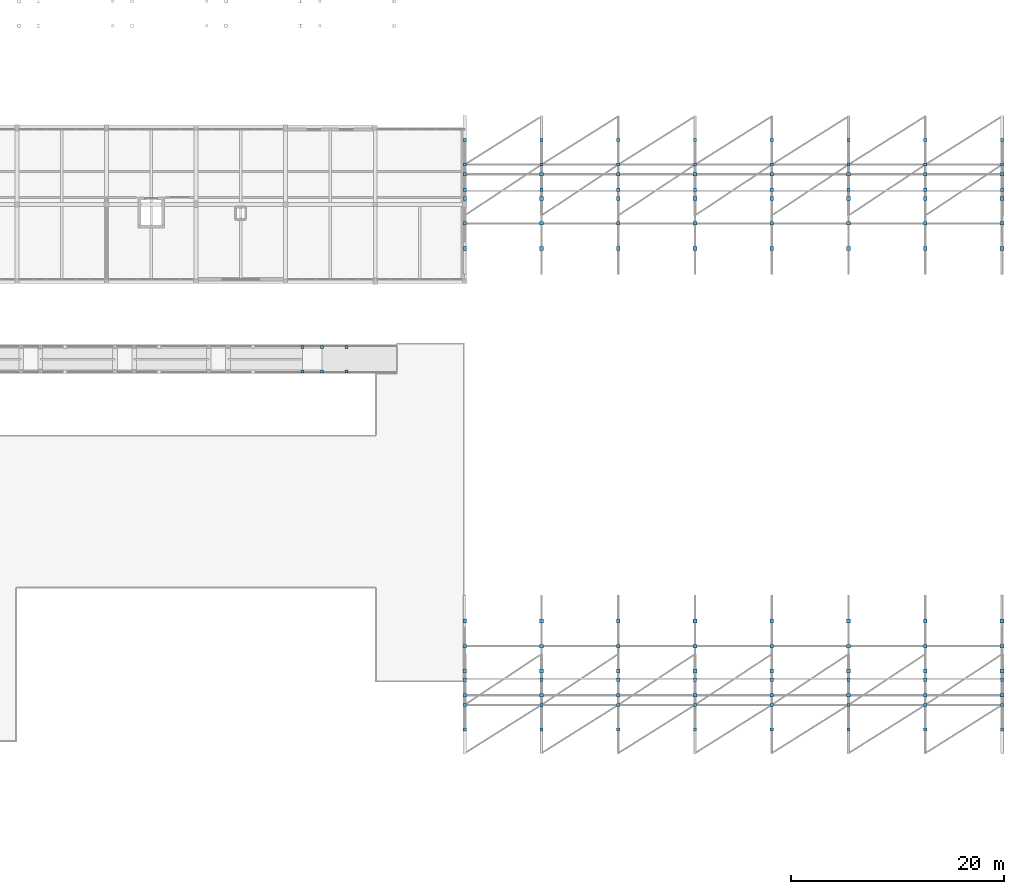
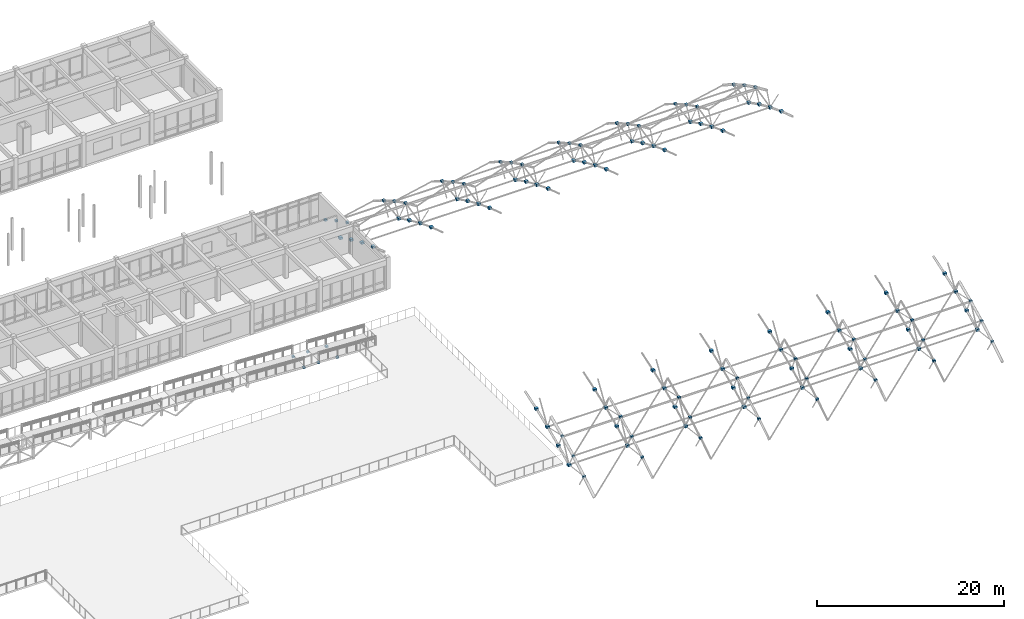
# One storey, part 72 of 89: 118 plates.
"""IFC4 building model written with IfcOpenShell, lengths in metres."""

from ifc_helpers import new_model, si_unit, direction, frame, origin, origin_2d, place, context, subcontext, project, spatial, rectangle, extrude, material, layer, layer_set, type_object, element, save


model = new_model("IFC4")

# Units and contexts
model_context = context("Model", 3, precision=1e-05, world=origin(), true_north=direction((0.0, 1.0)))
body_context = subcontext(model_context, "Body", "Model", "MODEL_VIEW")
ifc_project = project(units=[si_unit("LENGTHUNIT", "METRE"), si_unit("AREAUNIT", "SQUARE_METRE"), si_unit("VOLUMEUNIT", "CUBIC_METRE"), si_unit("PLANEANGLEUNIT", "RADIAN"), si_unit("MASSUNIT", "GRAM", prefix="KILO")], contexts=[model_context])

# Site, building, storey
site_placement = place(None, origin())
site = spatial("IfcSite", under=ifc_project, at=site_placement, CompositionType="ELEMENT")
building_placement = place(site_placement, origin())
building = spatial("IfcBuilding", under=site, at=building_placement, Name="Malvenik Polytechnic", CompositionType="ELEMENT")
storey_placement = place(building_placement, frame((0.0, 0.0, 13.5)))
storey = spatial("IfcBuildingStorey", under=building, at=storey_placement, Name="L03", CompositionType="ELEMENT", Elevation=13.5)

# Plates
ifc_material = material(Name="Steel S355J2H", Category="steel")
ifc_layer_1 = layer(ifc_material, 0.034912109375)
ifc_layer_set_1 = layer_set([ifc_layer_1], Name="Steel S355J2H")
plate_type_1 = type_object("IfcPlateType", Name="STR-PLT-NP-01", PredefinedType="USERDEFINED", material=ifc_layer_set_1)
for number, where, z_axis, x_axis, name in (
    (1, (134.39990234375, 40.36669921875, 0.3662109375), (0.0, 0.0, 1.0), (1.0, 0.0, 0.0), "Space-Frame Bottom Node Plate #5"),
    (2, (134.39990234375, 42.64013671875, 1.505859375), (0.0, 0.0, 1.0), (1.0, 0.0, 0.0), "Space-Frame Bottom Node Plate #7"),
    (3, (134.39990234375, 44.966796875, 2.533203125), (0.0, 0.0, 1.0), (1.0, 0.0, 0.0), "Space-Frame Bottom Node Plate #9"),
    (4, (134.39990234375, 47.3408203125, 3.4453125), (0.0, 0.0, 1.0), (1.0, 0.0, 0.0), "Space-Frame Bottom Node Plate #11"),
    (5, (134.39990234375, 82.259033203125, 3.4453125), (0.0, 0.0, 1.0), (1.0, 0.0, 0.0), "Space-Frame Bottom Node Plate #39"),
    (6, (134.39990234375, 84.63330078125, 2.533203125), (0.0, 0.0, 1.0), (1.0, 0.0, 0.0), "Space-Frame Bottom Node Plate #41"),
    (7, (134.39990234375, 86.959716796875, 1.505859375), (0.0, 0.0, 1.0), (1.0, 0.0, 0.0), "Space-Frame Bottom Node Plate #43"),
    (8, (134.39990234375, 89.2333984375, 0.3662109375), (0.0, 0.0, 1.0), (1.0, 0.0, 0.0), "Space-Frame Bottom Node Plate #45"),
    (9, (141.60009765625, 40.36669921875, 0.3662109375), (0.0, 0.0, 1.0), (1.0, 0.0, 0.0), "Space-Frame Bottom Node Plate #55"),
    (10, (141.60009765625, 42.64013671875, 1.505859375), (0.0, 0.0, 1.0), (1.0, 0.0, 0.0), "Space-Frame Bottom Node Plate #57"),
    (11, (141.60009765625, 44.966796875, 2.533203125), (0.0, 0.0, 1.0), (1.0, 0.0, 0.0), "Space-Frame Bottom Node Plate #59"),
    (12, (141.60009765625, 47.3408203125, 3.4453125), (0.0, 0.0, 1.0), (1.0, 0.0, 0.0), "Space-Frame Bottom Node Plate #61"),
    (13, (141.60009765625, 82.259033203125, 3.4453125), (0.0, 0.0, 1.0), (1.0, 0.0, 0.0), "Space-Frame Bottom Node Plate #89"),
    (14, (141.60009765625, 84.63330078125, 2.533203125), (0.0, 0.0, 1.0), (1.0, 0.0, 0.0), "Space-Frame Bottom Node Plate #91"),
    (15, (141.60009765625, 86.959716796875, 1.505859375), (0.0, 0.0, 1.0), (1.0, 0.0, 0.0), "Space-Frame Bottom Node Plate #93"),
    (16, (141.60009765625, 89.2333984375, 0.3662109375), (0.0, 0.0, 1.0), (1.0, 0.0, 0.0), "Space-Frame Bottom Node Plate #95"),
    (17, (148.800048828125, 40.36669921875, 0.3662109375), (0.0, 0.0, 1.0), (1.0, 0.0, 0.0), "Space-Frame Bottom Node Plate #105"),
    (18, (148.800048828125, 42.64013671875, 1.505859375), (0.0, 0.0, 1.0), (1.0, 0.0, 0.0), "Space-Frame Bottom Node Plate #107"),
    (19, (148.800048828125, 44.966796875, 2.533203125), (0.0, 0.0, 1.0), (1.0, 0.0, 0.0), "Space-Frame Bottom Node Plate #109"),
    (20, (148.800048828125, 47.3408203125, 3.4453125), (0.0, 0.0, 1.0), (1.0, 0.0, 0.0), "Space-Frame Bottom Node Plate #111"),
    (21, (148.800048828125, 82.259033203125, 3.4453125), (0.0, 0.0, 1.0), (1.0, 0.0, 0.0), "Space-Frame Bottom Node Plate #139"),
    (22, (148.800048828125, 84.63330078125, 2.533203125), (0.0, 0.0, 1.0), (1.0, 0.0, 0.0), "Space-Frame Bottom Node Plate #141"),
    (23, (148.800048828125, 86.959716796875, 1.505859375), (0.0, 0.0, 1.0), (1.0, 0.0, 0.0), "Space-Frame Bottom Node Plate #143"),
    (24, (148.800048828125, 89.2333984375, 0.3662109375), (0.0, 0.0, 1.0), (1.0, 0.0, 0.0), "Space-Frame Bottom Node Plate #145"),
    (25, (156.0, 40.36669921875, 0.3662109375), (0.0, 0.0, 1.0), (1.0, 0.0, 0.0), "Space-Frame Bottom Node Plate #155"),
    (26, (156.0, 42.64013671875, 1.505859375), (0.0, 0.0, 1.0), (1.0, 0.0, 0.0), "Space-Frame Bottom Node Plate #157"),
    (27, (156.0, 44.966796875, 2.533203125), (0.0, 0.0, 1.0), (1.0, 0.0, 0.0), "Space-Frame Bottom Node Plate #159"),
    (28, (156.0, 47.3408203125, 3.4453125), (0.0, 0.0, 1.0), (1.0, 0.0, 0.0), "Space-Frame Bottom Node Plate #161"),
    (29, (156.0, 82.259033203125, 3.4453125), (0.0, 0.0, 1.0), (1.0, 0.0, 0.0), "Space-Frame Bottom Node Plate #189"),
    (30, (156.0, 84.63330078125, 2.533203125), (0.0, 0.0, 1.0), (1.0, 0.0, 0.0), "Space-Frame Bottom Node Plate #191"),
    (31, (156.0, 86.959716796875, 1.505859375), (0.0, 0.0, 1.0), (1.0, 0.0, 0.0), "Space-Frame Bottom Node Plate #193"),
    (32, (156.0, 89.2333984375, 0.3662109375), (0.0, 0.0, 1.0), (1.0, 0.0, 0.0), "Space-Frame Bottom Node Plate #195"),
    (33, (163.199951171875, 40.36669921875, 0.3662109375), (0.0, 0.0, 1.0), (1.0, 0.0, 0.0), "Space-Frame Bottom Node Plate #205"),
    (34, (163.199951171875, 42.64013671875, 1.505859375), (0.0, 0.0, 1.0), (1.0, 0.0, 0.0), "Space-Frame Bottom Node Plate #207"),
    (35, (163.199951171875, 44.966796875, 2.533203125), (0.0, 0.0, 1.0), (1.0, 0.0, 0.0), "Space-Frame Bottom Node Plate #209"),
    (36, (163.199951171875, 47.3408203125, 3.4453125), (0.0, 0.0, 1.0), (1.0, 0.0, 0.0), "Space-Frame Bottom Node Plate #211"),
    (37, (163.199951171875, 82.259033203125, 3.4453125), (0.0, 0.0, 1.0), (1.0, 0.0, 0.0), "Space-Frame Bottom Node Plate #239"),
    (38, (163.199951171875, 84.63330078125, 2.533203125), (0.0, 0.0, 1.0), (1.0, 0.0, 0.0), "Space-Frame Bottom Node Plate #241"),
    (39, (163.199951171875, 86.959716796875, 1.505859375), (0.0, 0.0, 1.0), (1.0, 0.0, 0.0), "Space-Frame Bottom Node Plate #243"),
    (40, (163.199951171875, 89.2333984375, 0.3662109375), (0.0, 0.0, 1.0), (1.0, 0.0, 0.0), "Space-Frame Bottom Node Plate #245"),
    (41, (170.39990234375, 40.36669921875, 0.3662109375), (0.0, 0.0, 1.0), (1.0, 0.0, 0.0), "Space-Frame Bottom Node Plate #255"),
    (42, (170.39990234375, 42.64013671875, 1.505859375), (0.0, 0.0, 1.0), (1.0, 0.0, 0.0), "Space-Frame Bottom Node Plate #257"),
    (43, (170.39990234375, 44.966796875, 2.533203125), (0.0, 0.0, 1.0), (1.0, 0.0, 0.0), "Space-Frame Bottom Node Plate #259"),
    (44, (170.39990234375, 47.3408203125, 3.4453125), (0.0, 0.0, 1.0), (1.0, 0.0, 0.0), "Space-Frame Bottom Node Plate #261"),
    (45, (170.39990234375, 82.259033203125, 3.4453125), (0.0, 0.0, 1.0), (1.0, 0.0, 0.0), "Space-Frame Bottom Node Plate #289"),
    (46, (170.39990234375, 84.63330078125, 2.533203125), (0.0, 0.0, 1.0), (1.0, 0.0, 0.0), "Space-Frame Bottom Node Plate #291"),
    (47, (170.39990234375, 86.959716796875, 1.505859375), (0.0, 0.0, 1.0), (1.0, 0.0, 0.0), "Space-Frame Bottom Node Plate #293"),
    (48, (170.39990234375, 89.2333984375, 0.3662109375), (0.0, 0.0, 1.0), (1.0, 0.0, 0.0), "Space-Frame Bottom Node Plate #295"),
    (49, (177.60009765625, 40.36669921875, 0.3662109375), (0.0, 0.0, 1.0), (1.0, 0.0, 0.0), "Space-Frame Bottom Node Plate #305"),
    (50, (177.60009765625, 42.64013671875, 1.505859375), (0.0, 0.0, 1.0), (1.0, 0.0, 0.0), "Space-Frame Bottom Node Plate #307"),
    (51, (177.60009765625, 44.966796875, 2.533203125), (0.0, 0.0, 1.0), (1.0, 0.0, 0.0), "Space-Frame Bottom Node Plate #309"),
    (52, (177.60009765625, 47.3408203125, 3.4453125), (0.0, 0.0, 1.0), (1.0, 0.0, 0.0), "Space-Frame Bottom Node Plate #311"),
    (53, (177.60009765625, 82.259033203125, 3.4453125), (0.0, 0.0, 1.0), (1.0, 0.0, 0.0), "Space-Frame Bottom Node Plate #339"),
    (54, (177.60009765625, 84.63330078125, 2.533203125), (0.0, 0.0, 1.0), (1.0, 0.0, 0.0), "Space-Frame Bottom Node Plate #341"),
    (55, (177.60009765625, 86.959716796875, 1.505859375), (0.0, 0.0, 1.0), (1.0, 0.0, 0.0), "Space-Frame Bottom Node Plate #343"),
    (56, (177.60009765625, 89.2333984375, 0.3662109375), (0.0, 0.0, 1.0), (1.0, 0.0, 0.0), "Space-Frame Bottom Node Plate #345"),
    (57, (184.800048828125, 40.36669921875, 0.3662109375), (0.0, 0.0, 1.0), (1.0, 0.0, 0.0), "Space-Frame Bottom Node Plate #355"),
    (58, (184.800048828125, 42.64013671875, 1.505859375), (0.0, 0.0, 1.0), (1.0, 0.0, 0.0), "Space-Frame Bottom Node Plate #357"),
    (59, (184.800048828125, 44.966796875, 2.533203125), (0.0, 0.0, 1.0), (1.0, 0.0, 0.0), "Space-Frame Bottom Node Plate #359"),
    (60, (184.800048828125, 47.3408203125, 3.4453125), (0.0, 0.0, 1.0), (1.0, 0.0, 0.0), "Space-Frame Bottom Node Plate #361"),
    (61, (184.800048828125, 82.259033203125, 3.4453125), (0.0, 0.0, 1.0), (1.0, 0.0, 0.0), "Space-Frame Bottom Node Plate #389"),
    (62, (184.800048828125, 84.63330078125, 2.533203125), (0.0, 0.0, 1.0), (1.0, 0.0, 0.0), "Space-Frame Bottom Node Plate #391"),
    (63, (184.800048828125, 86.959716796875, 1.505859375), (0.0, 0.0, 1.0), (1.0, 0.0, 0.0), "Space-Frame Bottom Node Plate #393"),
    (64, (184.800048828125, 89.2333984375, 0.3662109375), (0.0, 0.0, 1.0), (1.0, 0.0, 0.0), "Space-Frame Bottom Node Plate #395"),
):
    element("IfcPlate", number, at=place(storey_placement, frame(where, z_axis=z_axis, x_axis=x_axis)), inside=storey, type_object=plate_type_1, Name=name, ObjectType="GUSSET PLATE", PredefinedType="USERDEFINED", context=body_context, shape_type="SweptSolid", body=[
        extrude(rectangle(XDim=0.360107421875, YDim=0.360107421875, at=origin_2d()), origin(), (0.0, 0.0, 1.0), 0.280029296875),
    ])
ifc_layer_2 = layer(ifc_material, 0.034912109375)
ifc_layer_set_2 = layer_set([ifc_layer_2], Name="Steel S355J2H")
plate_type_2 = type_object("IfcPlateType", Name="STR-PLT-NP-02", PredefinedType="USERDEFINED", material=ifc_layer_set_2)
for number, where, z_axis, x_axis, name in (
    (65, (134.39990234375, 37.164794921875, 0.78955078125), (0.0, 0.0, 1.0), (1.0, 0.0, 0.0), "Space-Frame Top Node Plate #4"),
    (66, (134.39990234375, 39.462158203125, 2.0849609375), (0.0, 0.0, 1.0), (1.0, 0.0, 0.0), "Space-Frame Top Node Plate #6"),
    (67, (134.39990234375, 41.81982421875, 3.26708984375), (0.0, 0.0, 1.0), (1.0, 0.0, 0.0), "Space-Frame Top Node Plate #8"),
    (68, (134.39990234375, 87.780029296875, 3.26708984375), (0.0, 0.0, 1.0), (1.0, 0.0, 0.0), "Space-Frame Top Node Plate #44"),
    (69, (134.39990234375, 90.137939453125, 2.0849609375), (0.0, 0.0, 1.0), (1.0, 0.0, 0.0), "Space-Frame Top Node Plate #46"),
    (70, (134.39990234375, 92.43505859375, 0.78955078125), (0.0, 0.0, 1.0), (1.0, 0.0, 0.0), "Space-Frame Top Node Plate #48"),
    (71, (141.60009765625, 37.164794921875, 0.78955078125), (0.0, 0.0, 1.0), (1.0, 0.0, 0.0), "Space-Frame Top Node Plate #54"),
    (72, (141.60009765625, 39.462158203125, 2.0849609375), (0.0, 0.0, 1.0), (1.0, 0.0, 0.0), "Space-Frame Top Node Plate #56"),
    (73, (141.60009765625, 41.81982421875, 3.26708984375), (0.0, 0.0, 1.0), (1.0, 0.0, 0.0), "Space-Frame Top Node Plate #58"),
    (74, (141.60009765625, 87.780029296875, 3.26708984375), (0.0, 0.0, 1.0), (1.0, 0.0, 0.0), "Space-Frame Top Node Plate #94"),
    (75, (141.60009765625, 90.137939453125, 2.0849609375), (0.0, 0.0, 1.0), (1.0, 0.0, 0.0), "Space-Frame Top Node Plate #96"),
    (76, (141.60009765625, 92.43505859375, 0.78955078125), (0.0, 0.0, 1.0), (1.0, 0.0, 0.0), "Space-Frame Top Node Plate #98"),
    (77, (148.800048828125, 37.164794921875, 0.78955078125), (0.0, 0.0, 1.0), (1.0, 0.0, 0.0), "Space-Frame Top Node Plate #104"),
    (78, (148.800048828125, 39.462158203125, 2.0849609375), (0.0, 0.0, 1.0), (1.0, 0.0, 0.0), "Space-Frame Top Node Plate #106"),
    (79, (148.800048828125, 41.81982421875, 3.26708984375), (0.0, 0.0, 1.0), (1.0, 0.0, 0.0), "Space-Frame Top Node Plate #108"),
    (80, (148.800048828125, 87.780029296875, 3.26708984375), (0.0, 0.0, 1.0), (1.0, 0.0, 0.0), "Space-Frame Top Node Plate #144"),
    (81, (148.800048828125, 90.137939453125, 2.0849609375), (0.0, 0.0, 1.0), (1.0, 0.0, 0.0), "Space-Frame Top Node Plate #146"),
    (82, (148.800048828125, 92.43505859375, 0.78955078125), (0.0, 0.0, 1.0), (1.0, 0.0, 0.0), "Space-Frame Top Node Plate #148"),
    (83, (156.0, 37.164794921875, 0.78955078125), (0.0, 0.0, 1.0), (1.0, 0.0, 0.0), "Space-Frame Top Node Plate #154"),
    (84, (156.0, 39.462158203125, 2.0849609375), (0.0, 0.0, 1.0), (1.0, 0.0, 0.0), "Space-Frame Top Node Plate #156"),
    (85, (156.0, 41.81982421875, 3.26708984375), (0.0, 0.0, 1.0), (1.0, 0.0, 0.0), "Space-Frame Top Node Plate #158"),
    (86, (156.0, 87.780029296875, 3.26708984375), (0.0, 0.0, 1.0), (1.0, 0.0, 0.0), "Space-Frame Top Node Plate #194"),
    (87, (156.0, 90.137939453125, 2.0849609375), (0.0, 0.0, 1.0), (1.0, 0.0, 0.0), "Space-Frame Top Node Plate #196"),
    (88, (156.0, 92.43505859375, 0.78955078125), (0.0, 0.0, 1.0), (1.0, 0.0, 0.0), "Space-Frame Top Node Plate #198"),
    (89, (163.199951171875, 37.164794921875, 0.78955078125), (0.0, 0.0, 1.0), (1.0, 0.0, 0.0), "Space-Frame Top Node Plate #204"),
    (90, (163.199951171875, 39.462158203125, 2.0849609375), (0.0, 0.0, 1.0), (1.0, 0.0, 0.0), "Space-Frame Top Node Plate #206"),
    (91, (163.199951171875, 41.81982421875, 3.26708984375), (0.0, 0.0, 1.0), (1.0, 0.0, 0.0), "Space-Frame Top Node Plate #208"),
    (92, (163.199951171875, 87.780029296875, 3.26708984375), (0.0, 0.0, 1.0), (1.0, 0.0, 0.0), "Space-Frame Top Node Plate #244"),
    (93, (163.199951171875, 90.137939453125, 2.0849609375), (0.0, 0.0, 1.0), (1.0, 0.0, 0.0), "Space-Frame Top Node Plate #246"),
    (94, (163.199951171875, 92.43505859375, 0.78955078125), (0.0, 0.0, 1.0), (1.0, 0.0, 0.0), "Space-Frame Top Node Plate #248"),
    (95, (170.39990234375, 37.164794921875, 0.78955078125), (0.0, 0.0, 1.0), (1.0, 0.0, 0.0), "Space-Frame Top Node Plate #254"),
    (96, (170.39990234375, 39.462158203125, 2.0849609375), (0.0, 0.0, 1.0), (1.0, 0.0, 0.0), "Space-Frame Top Node Plate #256"),
    (97, (170.39990234375, 41.81982421875, 3.26708984375), (0.0, 0.0, 1.0), (1.0, 0.0, 0.0), "Space-Frame Top Node Plate #258"),
    (98, (170.39990234375, 87.780029296875, 3.26708984375), (0.0, 0.0, 1.0), (1.0, 0.0, 0.0), "Space-Frame Top Node Plate #294"),
    (99, (170.39990234375, 90.137939453125, 2.0849609375), (0.0, 0.0, 1.0), (1.0, 0.0, 0.0), "Space-Frame Top Node Plate #296"),
    (100, (170.39990234375, 92.43505859375, 0.78955078125), (0.0, 0.0, 1.0), (1.0, 0.0, 0.0), "Space-Frame Top Node Plate #298"),
    (101, (177.60009765625, 37.164794921875, 0.78955078125), (0.0, 0.0, 1.0), (1.0, 0.0, 0.0), "Space-Frame Top Node Plate #304"),
    (102, (177.60009765625, 39.462158203125, 2.0849609375), (0.0, 0.0, 1.0), (1.0, 0.0, 0.0), "Space-Frame Top Node Plate #306"),
    (103, (177.60009765625, 41.81982421875, 3.26708984375), (0.0, 0.0, 1.0), (1.0, 0.0, 0.0), "Space-Frame Top Node Plate #308"),
    (104, (177.60009765625, 87.780029296875, 3.26708984375), (0.0, 0.0, 1.0), (1.0, 0.0, 0.0), "Space-Frame Top Node Plate #344"),
    (105, (177.60009765625, 90.137939453125, 2.0849609375), (0.0, 0.0, 1.0), (1.0, 0.0, 0.0), "Space-Frame Top Node Plate #346"),
    (106, (177.60009765625, 92.43505859375, 0.78955078125), (0.0, 0.0, 1.0), (1.0, 0.0, 0.0), "Space-Frame Top Node Plate #348"),
    (107, (184.800048828125, 37.164794921875, 0.78955078125), (0.0, 0.0, 1.0), (1.0, 0.0, 0.0), "Space-Frame Top Node Plate #354"),
    (108, (184.800048828125, 39.462158203125, 2.0849609375), (0.0, 0.0, 1.0), (1.0, 0.0, 0.0), "Space-Frame Top Node Plate #356"),
    (109, (184.800048828125, 41.81982421875, 3.26708984375), (0.0, 0.0, 1.0), (1.0, 0.0, 0.0), "Space-Frame Top Node Plate #358"),
    (110, (184.800048828125, 87.780029296875, 3.26708984375), (0.0, 0.0, 1.0), (1.0, 0.0, 0.0), "Space-Frame Top Node Plate #394"),
    (111, (184.800048828125, 90.137939453125, 2.0849609375), (0.0, 0.0, 1.0), (1.0, 0.0, 0.0), "Space-Frame Top Node Plate #396"),
    (112, (184.800048828125, 92.43505859375, 0.78955078125), (0.0, 0.0, 1.0), (1.0, 0.0, 0.0), "Space-Frame Top Node Plate #398"),
):
    element("IfcPlate", number, at=place(storey_placement, frame(where, z_axis=z_axis, x_axis=x_axis)), inside=storey, type_object=plate_type_2, Name=name, ObjectType="GUSSET PLATE", PredefinedType="USERDEFINED", context=body_context, shape_type="SweptSolid", body=[
        extrude(rectangle(XDim=0.300048828125, YDim=0.300048828125, at=origin_2d()), origin(), (0.0, 0.0, 1.0), 0.239990234375),
    ])
ifc_layer_3 = layer(ifc_material, 0.034912109375)
ifc_layer_set_3 = layer_set([ifc_layer_3], Name="Steel S355J2H")
plate_type_3 = type_object("IfcPlateType", Name="STR-PLT-NP-03", PredefinedType="USERDEFINED", material=ifc_layer_set_3)
for number, where, z_axis, x_axis, name in (
    (113, (121.0, 70.75, 0.02001953125), (0.0, 0.0, 1.0), (1.0, 0.0, 0.0), "Warren Joint Node Plate RB-02"),
    (114, (119.199951171875, 70.75, 0.02001953125), (0.0, 0.0, 1.0), (1.0, 0.0, 0.0), "Warren Joint Node Plate RB-02"),
    (115, (123.333251953125, 70.75, -0.0966796875), (0.0, 0.0, 1.0), (1.0, 0.0, 0.0), "Warren Web Node Plate RB-02"),
    (116, (121.0, 73.050048828125, 0.02001953125), (0.0, 0.0, 1.0), (1.0, 0.0, 0.0), "Warren Joint Node Plate RB-02"),
    (117, (119.199951171875, 73.050048828125, 0.02001953125), (0.0, 0.0, 1.0), (1.0, 0.0, 0.0), "Warren Joint Node Plate RB-02"),
    (118, (123.333251953125, 73.050048828125, -0.0966796875), (0.0, 0.0, 1.0), (1.0, 0.0, 0.0), "Warren Web Node Plate RB-02"),
):
    element("IfcPlate", number, at=place(storey_placement, frame(where, z_axis=z_axis, x_axis=x_axis)), inside=storey, type_object=plate_type_3, Name=name, ObjectType="GUSSET PLATE", PredefinedType="USERDEFINED", context=body_context, shape_type="SweptSolid", body=[
        extrude(rectangle(XDim=0.280029296875, YDim=0.280029296875, at=origin_2d()), origin(), (0.0, 0.0, 1.0), 0.219970703125),
    ])

save(model, "model.ifc")
